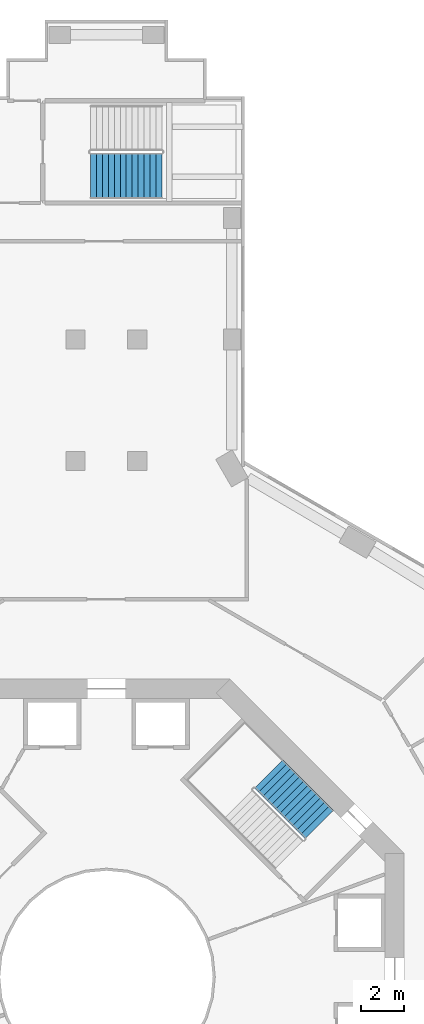
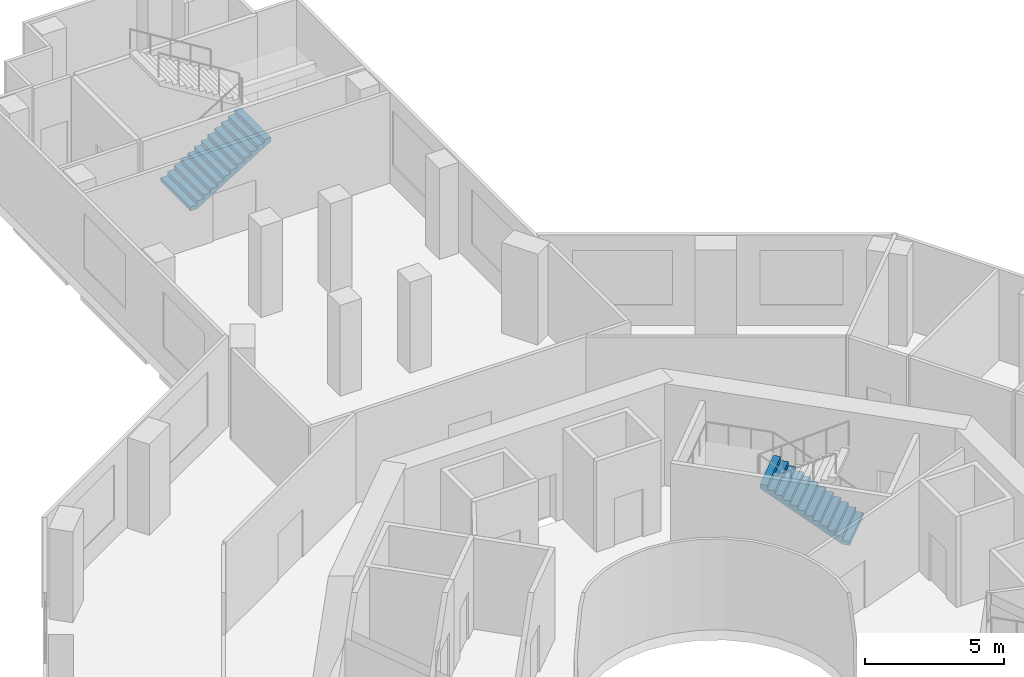
# One storey, part 13 of 20: 2 stair flights, 2 elements without a shape of their own.
"""IFC4 building model written with IfcOpenShell, lengths in metres."""

from ifc_helpers import new_model, si_unit, direction, frame, origin, place, context, subcontext, project, spatial, triangles, material, type_object, element, aggregate, save


model = new_model("IFC4")

# Units and contexts
model_context = context("Model", 3, precision=1e-05, world=origin(), true_north=direction((0.0, 1.0)))
body_context = subcontext(model_context, "Body", "Model", "MODEL_VIEW")
ifc_project = project(units=[si_unit("LENGTHUNIT", "METRE"), si_unit("AREAUNIT", "SQUARE_METRE"), si_unit("VOLUMEUNIT", "CUBIC_METRE"), si_unit("PLANEANGLEUNIT", "RADIAN"), si_unit("MASSUNIT", "GRAM", prefix="KILO")], contexts=[model_context])

# Site, building, storey
site_placement = place(None, origin())
site = spatial("IfcSite", under=ifc_project, at=site_placement, CompositionType="ELEMENT")
building_placement = place(site_placement, origin())
building = spatial("IfcBuilding", under=site, at=building_placement, Name="Verdalira Terraces Hotel", CompositionType="ELEMENT")
storey_placement = place(building_placement, frame((0.0, 0.0, 23.5)))
storey = spatial("IfcBuildingStorey", under=building, at=storey_placement, Name="L04", CompositionType="ELEMENT", Elevation=23.5)

# Stair, stair flight
ifc_material_1 = material(Name="Concrete C40", Category="concrete")
stair_type_1 = type_object("IfcStairType", Name="Core stair 26 risers 1900 mm wide", PredefinedType="HALF_TURN_STAIR", material=ifc_material_1)
stair_1_placement = place(storey_placement, origin())
stair_1 = element("IfcStair", 1, at=stair_1_placement, inside=storey, type_object=stair_type_1, Name="L04 Exit stair ST1", PredefinedType="HALF_TURN_STAIR")
ifc_material_2 = material(Name="Concrete C40", Category="concrete")
stair_flight_type_1 = type_object("IfcStairFlightType", Name="Core stair flight 26 risers 1900 mm wide", PredefinedType="STRAIGHT", material=ifc_material_2)
stair_flight_1_placement = place(storey_placement, frame((10.005615, 7.177246, 0.0), z_axis=(0.0, 0.0, 1.0), x_axis=(-0.707106781, 0.707106781, 0.0)))
stair_flight_1 = element("IfcStairFlight", 2, at=stair_flight_1_placement, type_object=stair_flight_type_1, Name="ST1 flight 1", NumberOfRisers=13, NumberOfTreads=12, PredefinedType="STRAIGHT", RiserHeight=0.173076923, TreadLength=0.28, context=body_context, shape_type="Tessellation", body=[
    triangles([(0.0, 0.949951, 0.0), (0.285156, 0.949951, 0.0), (3.360107, 0.949951, 1.900635), (0.0, -0.949951, 0.0), (0.285156, -0.949951, 0.0), (3.360107, -0.949951, 1.900635), (3.360107, 0.949951, 2.076904), (3.080078, 0.949951, 2.076904), (3.360107, -0.949951, 2.076904), (3.080078, -0.949951, 2.076904), (3.080078, 0.949951, 1.903809), (3.080078, -0.949951, 1.903809), (2.800049, 0.949951, 1.903809), (2.800049, -0.949951, 1.903809), (2.800049, 0.949951, 1.730713), (2.800049, -0.949951, 1.730713), (2.52002, 0.949951, 1.730713), (2.52002, 0.949951, 1.557617), (2.52002, -0.949951, 1.730713), (2.52002, -0.949951, 1.557617), (2.23999, 0.949951, 1.557617), (2.23999, 0.949951, 1.384521), (2.23999, -0.949951, 1.557617), (2.23999, -0.949951, 1.384521), (1.959961, 0.949951, 1.384521), (1.959961, 0.949951, 1.211426), (1.959961, -0.949951, 1.384521), (1.959961, -0.949951, 1.211426), (1.679932, 0.949951, 1.211426), (1.679932, 0.949951, 1.038574), (1.679932, -0.949951, 1.211426), (1.679932, -0.949951, 1.038574), (1.399902, 0.949951, 1.038574), (1.399902, 0.949951, 0.865479), (1.399902, -0.949951, 1.038574), (1.399902, -0.949951, 0.865479), (1.120117, 0.949951, 0.865479), (1.120117, 0.949951, 0.692383), (1.120117, -0.949951, 0.865479), (1.120117, -0.949951, 0.692383), (0.840088, 0.949951, 0.692383), (0.840088, 0.949951, 0.519287), (0.840088, -0.949951, 0.692383), (0.840088, -0.949951, 0.519287), (0.560059, 0.949951, 0.519287), (0.560059, 0.949951, 0.346191), (0.560059, -0.949951, 0.519287), (0.560059, -0.949951, 0.346191), (0.280029, 0.949951, 0.346191), (0.280029, 0.949951, 0.173096), (0.280029, -0.949951, 0.346191), (0.280029, -0.949951, 0.173096), (0.0, 0.949951, 0.173096), (0.0, -0.949951, 0.173096), (0.0, -0.890579, 0.0), (0.0, -0.890579, 0.173096), (0.0, -0.831207, 0.0), (0.0, -0.831207, 0.173096), (0.0, -0.771835, 0.0), (0.0, -0.771835, 0.173096), (0.0, -0.712463, 0.0), (0.0, -0.712463, 0.173096), (0.0, -0.653091, 0.0), (0.0, -0.653091, 0.173096), (0.0, -0.593719, 0.0), (0.0, -0.593719, 0.173096), (0.0, -0.534348, 0.0), (0.0, -0.534348, 0.173096), (0.0, -0.474976, 0.0), (0.0, -0.474976, 0.173096), (0.0, -0.415604, 0.0), (0.0, -0.415604, 0.173096), (0.0, -0.356232, 0.0), (0.0, -0.356232, 0.173096), (0.0, -0.29686, 0.0), (0.0, -0.29686, 0.173096), (0.0, -0.237488, 0.0), (0.0, -0.237488, 0.173096), (0.0, -0.178116, 0.0), (0.0, -0.178116, 0.173096), (0.0, -0.118744, 0.0), (0.0, -0.118744, 0.173096), (0.0, -0.059372, 0.0), (0.0, -0.059372, 0.173096), (0.0, 0.0, 0.0), (0.0, 0.0, 0.173096), (0.0, 0.059372, 0.0), (0.0, 0.059372, 0.173096), (0.0, 0.118744, 0.0), (0.0, 0.118744, 0.173096), (0.0, 0.178116, 0.0), (0.0, 0.178116, 0.173096), (0.0, 0.237488, 0.0), (0.0, 0.237488, 0.173096), (0.0, 0.29686, 0.0), (0.0, 0.29686, 0.173096), (0.0, 0.356232, 0.0), (0.0, 0.356232, 0.173096), (0.0, 0.415604, 0.0), (0.0, 0.415604, 0.173096), (0.0, 0.474976, 0.0), (0.0, 0.474976, 0.173096), (0.0, 0.534348, 0.0), (0.0, 0.534348, 0.173096), (0.0, 0.593719, 0.0), (0.0, 0.593719, 0.173096), (0.0, 0.653091, 0.0), (0.0, 0.653091, 0.173096), (0.0, 0.712463, 0.0), (0.0, 0.712463, 0.173096), (0.0, 0.771835, 0.0), (0.0, 0.771835, 0.173096), (0.0, 0.831207, 0.0), (0.0, 0.831207, 0.173096), (0.0, 0.890579, 0.0), (0.0, 0.890579, 0.173096), (3.360107, -0.890579, 2.076904), (3.360107, -0.831207, 2.076904), (3.360107, -0.771835, 2.076904), (3.360107, -0.712463, 2.076904), (3.360107, -0.653091, 2.076904), (3.360107, -0.593719, 2.076904), (3.360107, -0.534348, 2.076904), (3.360107, -0.474976, 2.076904), (3.360107, -0.415604, 2.076904), (3.360107, -0.356232, 2.076904), (3.360107, -0.29686, 2.076904), (3.360107, -0.237488, 2.076904), (3.360107, -0.178116, 2.076904), (3.360107, -0.118744, 2.076904), (3.360107, -0.059372, 2.076904), (3.360107, 0.0, 2.076904), (3.360107, 0.059372, 2.076904), (3.360107, 0.118744, 2.076904), (3.360107, 0.178116, 2.076904), (3.360107, 0.237488, 2.076904), (3.360107, 0.29686, 2.076904), (3.360107, 0.356232, 2.076904), (3.360107, 0.415604, 2.076904), (3.360107, 0.474976, 2.076904), (3.360107, 0.534348, 2.076904), (3.360107, 0.593719, 2.076904), (3.360107, 0.653091, 2.076904), (3.360107, 0.712463, 2.076904), (3.360107, 0.771835, 2.076904), (3.360107, 0.831207, 2.076904), (3.360107, 0.890579, 2.076904), (3.360107, -0.890579, 1.900635), (3.360107, -0.831207, 1.900635), (3.360107, -0.771835, 1.900635), (3.360107, -0.712463, 1.900635), (3.360107, -0.653091, 1.900635), (3.360107, -0.593719, 1.900635), (3.360107, -0.534348, 1.900635), (3.360107, -0.474976, 1.900635), (3.360107, -0.415604, 1.900635), (3.360107, -0.356232, 1.900635), (3.360107, -0.29686, 1.900635), (3.360107, -0.237488, 1.900635), (3.360107, -0.178116, 1.900635), (3.360107, -0.118744, 1.900635), (3.360107, -0.059372, 1.900635), (3.360107, 0.0, 1.900635), (3.360107, 0.059372, 1.900635), (3.360107, 0.118744, 1.900635), (3.360107, 0.178116, 1.900635), (3.360107, 0.237488, 1.900635), (3.360107, 0.29686, 1.900635), (3.360107, 0.356232, 1.900635), (3.360107, 0.415604, 1.900635), (3.360107, 0.474976, 1.900635), (3.360107, 0.534348, 1.900635), (3.360107, 0.593719, 1.900635), (3.360107, 0.653091, 1.900635), (3.360107, 0.712463, 1.900635), (3.360107, 0.771835, 1.900635), (3.360107, 0.831207, 1.900635), (3.360107, 0.890579, 1.900635)], [[1, 3, 2], [4, 5, 6], [3, 8, 7], [6, 9, 10], [3, 11, 8], [6, 10, 12], [3, 13, 11], [6, 12, 14], [3, 15, 13], [6, 14, 16], [15, 18, 17], [16, 19, 20], [3, 18, 15], [6, 16, 20], [18, 22, 21], [20, 23, 24], [3, 22, 18], [6, 20, 24], [22, 26, 25], [24, 27, 28], [3, 26, 22], [6, 24, 28], [1, 26, 3], [4, 6, 28], [26, 30, 29], [28, 31, 32], [30, 34, 33], [32, 35, 36], [26, 34, 30], [28, 32, 36], [34, 38, 37], [36, 39, 40], [26, 38, 34], [28, 36, 40], [38, 42, 41], [40, 43, 44], [26, 42, 38], [28, 40, 44], [42, 46, 45], [44, 47, 48], [26, 46, 42], [28, 44, 48], [46, 50, 49], [48, 51, 52], [26, 50, 46], [28, 48, 52], [1, 50, 26], [4, 28, 52], [50, 1, 53], [52, 54, 4], [4, 56, 55], [4, 54, 56], [55, 58, 57], [55, 56, 58], [57, 60, 59], [57, 58, 60], [59, 62, 61], [59, 60, 62], [61, 64, 63], [61, 62, 64], [63, 66, 65], [63, 64, 66], [65, 68, 67], [65, 66, 68], [67, 70, 69], [67, 68, 70], [69, 72, 71], [69, 70, 72], [71, 74, 73], [71, 72, 74], [73, 76, 75], [73, 74, 76], [75, 78, 77], [75, 76, 78], [77, 80, 79], [77, 78, 80], [79, 82, 81], [79, 80, 82], [81, 84, 83], [81, 82, 84], [83, 86, 85], [83, 84, 86], [85, 88, 87], [85, 86, 88], [87, 90, 89], [87, 88, 90], [89, 92, 91], [89, 90, 92], [91, 94, 93], [91, 92, 94], [93, 96, 95], [93, 94, 96], [95, 98, 97], [95, 96, 98], [97, 100, 99], [97, 98, 100], [99, 102, 101], [99, 100, 102], [101, 104, 103], [101, 102, 104], [103, 106, 105], [103, 104, 106], [105, 108, 107], [105, 106, 108], [107, 110, 109], [107, 108, 110], [109, 112, 111], [109, 110, 112], [111, 114, 113], [111, 112, 114], [113, 116, 115], [113, 114, 116], [115, 53, 1], [115, 116, 53], [54, 52, 56], [56, 52, 58], [58, 52, 60], [60, 52, 62], [62, 52, 64], [64, 52, 66], [66, 52, 68], [68, 52, 70], [70, 52, 72], [72, 52, 74], [74, 52, 76], [76, 52, 78], [78, 52, 80], [80, 52, 82], [82, 52, 84], [84, 52, 86], [86, 52, 88], [88, 52, 90], [90, 52, 92], [92, 52, 94], [94, 52, 96], [96, 52, 98], [98, 52, 100], [100, 52, 102], [102, 52, 104], [104, 52, 106], [106, 52, 108], [108, 52, 110], [110, 52, 112], [112, 52, 114], [114, 52, 116], [116, 52, 53], [53, 52, 50], [52, 49, 50], [52, 51, 49], [51, 46, 49], [51, 48, 46], [48, 45, 46], [48, 47, 45], [47, 42, 45], [47, 44, 42], [44, 41, 42], [44, 43, 41], [43, 38, 41], [43, 40, 38], [40, 37, 38], [40, 39, 37], [39, 34, 37], [39, 36, 34], [36, 33, 34], [36, 35, 33], [35, 30, 33], [35, 32, 30], [32, 29, 30], [32, 31, 29], [31, 26, 29], [31, 28, 26], [28, 25, 26], [28, 27, 25], [27, 22, 25], [27, 24, 22], [24, 21, 22], [24, 23, 21], [23, 18, 21], [23, 20, 18], [20, 17, 18], [20, 19, 17], [19, 15, 17], [19, 16, 15], [16, 13, 15], [16, 14, 13], [14, 11, 13], [14, 12, 11], [12, 8, 11], [12, 10, 8], [9, 117, 10], [117, 118, 10], [118, 119, 10], [119, 120, 10], [120, 121, 10], [121, 122, 10], [122, 123, 10], [123, 124, 10], [124, 125, 10], [125, 126, 10], [126, 127, 10], [127, 128, 10], [128, 129, 10], [129, 130, 10], [130, 131, 10], [131, 132, 10], [132, 133, 10], [133, 134, 10], [134, 135, 10], [135, 136, 10], [136, 137, 10], [137, 138, 10], [138, 139, 10], [139, 140, 10], [140, 141, 10], [141, 142, 10], [142, 143, 10], [143, 144, 10], [144, 145, 10], [145, 146, 10], [146, 147, 10], [147, 7, 10], [7, 8, 10], [9, 148, 117], [9, 6, 148], [117, 149, 118], [117, 148, 149], [118, 150, 119], [118, 149, 150], [119, 151, 120], [119, 150, 151], [120, 152, 121], [120, 151, 152], [121, 153, 122], [121, 152, 153], [122, 154, 123], [122, 153, 154], [123, 155, 124], [123, 154, 155], [124, 156, 125], [124, 155, 156], [125, 157, 126], [125, 156, 157], [126, 158, 127], [126, 157, 158], [127, 159, 128], [127, 158, 159], [128, 160, 129], [128, 159, 160], [129, 161, 130], [129, 160, 161], [130, 162, 131], [130, 161, 162], [131, 163, 132], [131, 162, 163], [132, 164, 133], [132, 163, 164], [133, 165, 134], [133, 164, 165], [134, 166, 135], [134, 165, 166], [135, 167, 136], [135, 166, 167], [136, 168, 137], [136, 167, 168], [137, 169, 138], [137, 168, 169], [138, 170, 139], [138, 169, 170], [139, 171, 140], [139, 170, 171], [140, 172, 141], [140, 171, 172], [141, 173, 142], [141, 172, 173], [142, 174, 143], [142, 173, 174], [143, 175, 144], [143, 174, 175], [144, 176, 145], [144, 175, 176], [145, 177, 146], [145, 176, 177], [146, 178, 147], [146, 177, 178], [147, 3, 7], [147, 178, 3], [6, 5, 148], [148, 5, 149], [149, 5, 150], [150, 5, 151], [151, 5, 152], [152, 5, 153], [153, 5, 154], [154, 5, 155], [155, 5, 156], [156, 5, 157], [157, 5, 158], [158, 5, 159], [159, 5, 160], [160, 5, 161], [161, 5, 162], [162, 5, 163], [163, 5, 164], [164, 5, 165], [165, 5, 166], [166, 5, 167], [167, 5, 168], [168, 5, 169], [169, 5, 170], [170, 5, 171], [171, 5, 172], [172, 5, 173], [173, 5, 174], [174, 5, 175], [175, 5, 176], [176, 5, 177], [177, 5, 178], [178, 5, 3], [3, 5, 2], [4, 55, 5], [55, 57, 5], [57, 59, 5], [59, 61, 5], [61, 63, 5], [63, 65, 5], [65, 67, 5], [67, 69, 5], [69, 71, 5], [71, 73, 5], [73, 75, 5], [75, 77, 5], [77, 79, 5], [79, 81, 5], [81, 83, 5], [83, 85, 5], [85, 87, 5], [87, 89, 5], [89, 91, 5], [91, 93, 5], [93, 95, 5], [95, 97, 5], [97, 99, 5], [99, 101, 5], [101, 103, 5], [103, 105, 5], [105, 107, 5], [107, 109, 5], [109, 111, 5], [111, 113, 5], [113, 115, 5], [115, 1, 5], [1, 2, 5]], closed=True),
])
aggregate(stair_1, [stair_flight_1])

ifc_material_3 = material(Name="Concrete C40", Category="concrete")
stair_type_2 = type_object("IfcStairType", Name="Podium stair 26 risers", PredefinedType="HALF_TURN_STAIR", material=ifc_material_3)
stair_2_placement = place(storey_placement, origin())
stair_2 = element("IfcStair", 3, at=stair_2_placement, inside=storey, type_object=stair_type_2, Name="L04 Exit stair PS1", PredefinedType="HALF_TURN_STAIR")
ifc_material_4 = material(Name="Concrete C40", Category="concrete")
stair_flight_type_2 = type_object("IfcStairFlightType", Name="Podium stair flight 26 risers", PredefinedType="STRAIGHT", material=ifc_material_4)
stair_flight_2_placement = place(storey_placement, frame((-0.75, 37.675049, 0.0), z_axis=(0.0, 0.0, 1.0), x_axis=(1.0, 0.0, 0.0)))
stair_flight_2 = element("IfcStairFlight", 4, at=stair_flight_2_placement, type_object=stair_flight_type_2, Name="PS1 flight 1", NumberOfRisers=13, NumberOfTreads=12, PredefinedType="STRAIGHT", RiserHeight=0.173076923, TreadLength=0.28, context=body_context, shape_type="Tessellation", body=[
    triangles([(0.0, 1.074951, 0.0), (0.285156, 1.074951, 0.0), (3.360107, 1.074951, 1.900635), (0.0, -1.074951, 0.0), (0.285156, -1.074951, 0.0), (3.360107, -1.074951, 1.900635), (3.360107, 1.074951, 2.076904), (3.080078, 1.074951, 2.076904), (3.360107, -1.074951, 2.076904), (3.080078, -1.074951, 2.076904), (3.080078, 1.074951, 1.903809), (3.080078, -1.074951, 1.903809), (2.800049, 1.074951, 1.903809), (2.800049, -1.074951, 1.903809), (2.800049, 1.074951, 1.730713), (2.800049, -1.074951, 1.730713), (2.52002, 1.074951, 1.730713), (2.52002, 1.074951, 1.557617), (2.52002, -1.074951, 1.730713), (2.52002, -1.074951, 1.557617), (2.23999, 1.074951, 1.557617), (2.23999, 1.074951, 1.384521), (2.23999, -1.074951, 1.557617), (2.23999, -1.074951, 1.384521), (1.959961, 1.074951, 1.384521), (1.959961, 1.074951, 1.211426), (1.959961, -1.074951, 1.384521), (1.959961, -1.074951, 1.211426), (1.679932, 1.074951, 1.211426), (1.679932, 1.074951, 1.038574), (1.679932, -1.074951, 1.211426), (1.679932, -1.074951, 1.038574), (1.399902, 1.074951, 1.038574), (1.399902, 1.074951, 0.865479), (1.399902, -1.074951, 1.038574), (1.399902, -1.074951, 0.865479), (1.120117, 1.074951, 0.865479), (1.120117, 1.074951, 0.692383), (1.120117, -1.074951, 0.865479), (1.120117, -1.074951, 0.692383), (0.840088, 1.074951, 0.692383), (0.840088, 1.074951, 0.519287), (0.840088, -1.074951, 0.692383), (0.840088, -1.074951, 0.519287), (0.560059, 1.074951, 0.519287), (0.560059, 1.074951, 0.346191), (0.560059, -1.074951, 0.519287), (0.560059, -1.074951, 0.346191), (0.280029, 1.074951, 0.346191), (0.280029, 1.074951, 0.173096), (0.280029, -1.074951, 0.346191), (0.280029, -1.074951, 0.173096), (0.0, 1.074951, 0.173096), (0.0, -1.074951, 0.173096), (0.0, -1.007767, 0.0), (0.0, -1.007767, 0.173096), (0.0, -0.940582, 0.0), (0.0, -0.940582, 0.173096), (0.0, -0.873398, 0.0), (0.0, -0.873398, 0.173096), (0.0, -0.806213, 0.0), (0.0, -0.806213, 0.173096), (0.0, -0.739029, 0.0), (0.0, -0.739029, 0.173096), (0.0, -0.671844, 0.0), (0.0, -0.671844, 0.173096), (0.0, -0.60466, 0.0), (0.0, -0.60466, 0.173096), (0.0, -0.537476, 0.0), (0.0, -0.537476, 0.173096), (0.0, -0.470291, 0.0), (0.0, -0.470291, 0.173096), (0.0, -0.403107, 0.0), (0.0, -0.403107, 0.173096), (0.0, -0.335922, 0.0), (0.0, -0.335922, 0.173096), (0.0, -0.268738, 0.0), (0.0, -0.268738, 0.173096), (0.0, -0.201553, 0.0), (0.0, -0.201553, 0.173096), (0.0, -0.134369, 0.0), (0.0, -0.134369, 0.173096), (0.0, -0.067184, 0.0), (0.0, -0.067184, 0.173096), (0.0, 0.0, 0.0), (0.0, 0.0, 0.173096), (0.0, 0.067184, 0.0), (0.0, 0.067184, 0.173096), (0.0, 0.134369, 0.0), (0.0, 0.134369, 0.173096), (0.0, 0.201553, 0.0), (0.0, 0.201553, 0.173096), (0.0, 0.268738, 0.0), (0.0, 0.268738, 0.173096), (0.0, 0.335922, 0.0), (0.0, 0.335922, 0.173096), (0.0, 0.403107, 0.0), (0.0, 0.403107, 0.173096), (0.0, 0.470291, 0.0), (0.0, 0.470291, 0.173096), (0.0, 0.537476, 0.0), (0.0, 0.537476, 0.173096), (0.0, 0.60466, 0.0), (0.0, 0.60466, 0.173096), (0.0, 0.671844, 0.0), (0.0, 0.671844, 0.173096), (0.0, 0.739029, 0.0), (0.0, 0.739029, 0.173096), (0.0, 0.806213, 0.0), (0.0, 0.806213, 0.173096), (0.0, 0.873398, 0.0), (0.0, 0.873398, 0.173096), (0.0, 0.940582, 0.0), (0.0, 0.940582, 0.173096), (0.0, 1.007767, 0.0), (0.0, 1.007767, 0.173096), (3.360107, -1.007767, 2.076904), (3.360107, -0.940582, 2.076904), (3.360107, -0.873398, 2.076904), (3.360107, -0.806213, 2.076904), (3.360107, -0.739029, 2.076904), (3.360107, -0.671844, 2.076904), (3.360107, -0.60466, 2.076904), (3.360107, -0.537476, 2.076904), (3.360107, -0.470291, 2.076904), (3.360107, -0.403107, 2.076904), (3.360107, -0.335922, 2.076904), (3.360107, -0.268738, 2.076904), (3.360107, -0.201553, 2.076904), (3.360107, -0.134369, 2.076904), (3.360107, -0.067184, 2.076904), (3.360107, 0.0, 2.076904), (3.360107, 0.067184, 2.076904), (3.360107, 0.134369, 2.076904), (3.360107, 0.201553, 2.076904), (3.360107, 0.268738, 2.076904), (3.360107, 0.335922, 2.076904), (3.360107, 0.403107, 2.076904), (3.360107, 0.470291, 2.076904), (3.360107, 0.537476, 2.076904), (3.360107, 0.60466, 2.076904), (3.360107, 0.671844, 2.076904), (3.360107, 0.739029, 2.076904), (3.360107, 0.806213, 2.076904), (3.360107, 0.873398, 2.076904), (3.360107, 0.940582, 2.076904), (3.360107, 1.007767, 2.076904), (3.360107, -1.007767, 1.900635), (3.360107, -0.940582, 1.900635), (3.360107, -0.873398, 1.900635), (3.360107, -0.806213, 1.900635), (3.360107, -0.739029, 1.900635), (3.360107, -0.671844, 1.900635), (3.360107, -0.60466, 1.900635), (3.360107, -0.537476, 1.900635), (3.360107, -0.470291, 1.900635), (3.360107, -0.403107, 1.900635), (3.360107, -0.335922, 1.900635), (3.360107, -0.268738, 1.900635), (3.360107, -0.201553, 1.900635), (3.360107, -0.134369, 1.900635), (3.360107, -0.067184, 1.900635), (3.360107, 0.0, 1.900635), (3.360107, 0.067184, 1.900635), (3.360107, 0.134369, 1.900635), (3.360107, 0.201553, 1.900635), (3.360107, 0.268738, 1.900635), (3.360107, 0.335922, 1.900635), (3.360107, 0.403107, 1.900635), (3.360107, 0.470291, 1.900635), (3.360107, 0.537476, 1.900635), (3.360107, 0.60466, 1.900635), (3.360107, 0.671844, 1.900635), (3.360107, 0.739029, 1.900635), (3.360107, 0.806213, 1.900635), (3.360107, 0.873398, 1.900635), (3.360107, 0.940582, 1.900635), (3.360107, 1.007767, 1.900635)], [[1, 3, 2], [4, 5, 6], [3, 8, 7], [6, 9, 10], [3, 11, 8], [6, 10, 12], [3, 13, 11], [6, 12, 14], [3, 15, 13], [6, 14, 16], [15, 18, 17], [16, 19, 20], [3, 18, 15], [6, 16, 20], [18, 22, 21], [20, 23, 24], [3, 22, 18], [6, 20, 24], [22, 26, 25], [24, 27, 28], [3, 26, 22], [6, 24, 28], [1, 26, 3], [4, 6, 28], [26, 30, 29], [28, 31, 32], [30, 34, 33], [32, 35, 36], [26, 34, 30], [28, 32, 36], [34, 38, 37], [36, 39, 40], [26, 38, 34], [28, 36, 40], [38, 42, 41], [40, 43, 44], [26, 42, 38], [28, 40, 44], [42, 46, 45], [44, 47, 48], [26, 46, 42], [28, 44, 48], [46, 50, 49], [48, 51, 52], [26, 50, 46], [28, 48, 52], [1, 50, 26], [4, 28, 52], [50, 1, 53], [52, 54, 4], [4, 56, 55], [4, 54, 56], [55, 58, 57], [55, 56, 58], [57, 60, 59], [57, 58, 60], [59, 62, 61], [59, 60, 62], [61, 64, 63], [61, 62, 64], [63, 66, 65], [63, 64, 66], [65, 68, 67], [65, 66, 68], [67, 70, 69], [67, 68, 70], [69, 72, 71], [69, 70, 72], [71, 74, 73], [71, 72, 74], [73, 76, 75], [73, 74, 76], [75, 78, 77], [75, 76, 78], [77, 80, 79], [77, 78, 80], [79, 82, 81], [79, 80, 82], [81, 84, 83], [81, 82, 84], [83, 86, 85], [83, 84, 86], [85, 88, 87], [85, 86, 88], [87, 90, 89], [87, 88, 90], [89, 92, 91], [89, 90, 92], [91, 94, 93], [91, 92, 94], [93, 96, 95], [93, 94, 96], [95, 98, 97], [95, 96, 98], [97, 100, 99], [97, 98, 100], [99, 102, 101], [99, 100, 102], [101, 104, 103], [101, 102, 104], [103, 106, 105], [103, 104, 106], [105, 108, 107], [105, 106, 108], [107, 110, 109], [107, 108, 110], [109, 112, 111], [109, 110, 112], [111, 114, 113], [111, 112, 114], [113, 116, 115], [113, 114, 116], [115, 53, 1], [115, 116, 53], [54, 52, 56], [56, 52, 58], [58, 52, 60], [60, 52, 62], [62, 52, 64], [64, 52, 66], [66, 52, 68], [68, 52, 70], [70, 52, 72], [72, 52, 74], [74, 52, 76], [76, 52, 78], [78, 52, 80], [80, 52, 82], [82, 52, 84], [84, 52, 86], [86, 52, 88], [88, 52, 90], [90, 52, 92], [92, 52, 94], [94, 52, 96], [96, 52, 98], [98, 52, 100], [100, 52, 102], [102, 52, 104], [104, 52, 106], [106, 52, 108], [108, 52, 110], [110, 52, 112], [112, 52, 114], [114, 52, 116], [116, 52, 53], [53, 52, 50], [52, 49, 50], [52, 51, 49], [51, 46, 49], [51, 48, 46], [48, 45, 46], [48, 47, 45], [47, 42, 45], [47, 44, 42], [44, 41, 42], [44, 43, 41], [43, 38, 41], [43, 40, 38], [40, 37, 38], [40, 39, 37], [39, 34, 37], [39, 36, 34], [36, 33, 34], [36, 35, 33], [35, 30, 33], [35, 32, 30], [32, 29, 30], [32, 31, 29], [31, 26, 29], [31, 28, 26], [28, 25, 26], [28, 27, 25], [27, 22, 25], [27, 24, 22], [24, 21, 22], [24, 23, 21], [23, 18, 21], [23, 20, 18], [20, 17, 18], [20, 19, 17], [19, 15, 17], [19, 16, 15], [16, 13, 15], [16, 14, 13], [14, 11, 13], [14, 12, 11], [12, 8, 11], [12, 10, 8], [9, 117, 10], [117, 118, 10], [118, 119, 10], [119, 120, 10], [120, 121, 10], [121, 122, 10], [122, 123, 10], [123, 124, 10], [124, 125, 10], [125, 126, 10], [126, 127, 10], [127, 128, 10], [128, 129, 10], [129, 130, 10], [130, 131, 10], [131, 132, 10], [132, 133, 10], [133, 134, 10], [134, 135, 10], [135, 136, 10], [136, 137, 10], [137, 138, 10], [138, 139, 10], [139, 140, 10], [140, 141, 10], [141, 142, 10], [142, 143, 10], [143, 144, 10], [144, 145, 10], [145, 146, 10], [146, 147, 10], [147, 7, 10], [7, 8, 10], [9, 148, 117], [9, 6, 148], [117, 149, 118], [117, 148, 149], [118, 150, 119], [118, 149, 150], [119, 151, 120], [119, 150, 151], [120, 152, 121], [120, 151, 152], [121, 153, 122], [121, 152, 153], [122, 154, 123], [122, 153, 154], [123, 155, 124], [123, 154, 155], [124, 156, 125], [124, 155, 156], [125, 157, 126], [125, 156, 157], [126, 158, 127], [126, 157, 158], [127, 159, 128], [127, 158, 159], [128, 160, 129], [128, 159, 160], [129, 161, 130], [129, 160, 161], [130, 162, 131], [130, 161, 162], [131, 163, 132], [131, 162, 163], [132, 164, 133], [132, 163, 164], [133, 165, 134], [133, 164, 165], [134, 166, 135], [134, 165, 166], [135, 167, 136], [135, 166, 167], [136, 168, 137], [136, 167, 168], [137, 169, 138], [137, 168, 169], [138, 170, 139], [138, 169, 170], [139, 171, 140], [139, 170, 171], [140, 172, 141], [140, 171, 172], [141, 173, 142], [141, 172, 173], [142, 174, 143], [142, 173, 174], [143, 175, 144], [143, 174, 175], [144, 176, 145], [144, 175, 176], [145, 177, 146], [145, 176, 177], [146, 178, 147], [146, 177, 178], [147, 3, 7], [147, 178, 3], [6, 5, 148], [148, 5, 149], [149, 5, 150], [150, 5, 151], [151, 5, 152], [152, 5, 153], [153, 5, 154], [154, 5, 155], [155, 5, 156], [156, 5, 157], [157, 5, 158], [158, 5, 159], [159, 5, 160], [160, 5, 161], [161, 5, 162], [162, 5, 163], [163, 5, 164], [164, 5, 165], [165, 5, 166], [166, 5, 167], [167, 5, 168], [168, 5, 169], [169, 5, 170], [170, 5, 171], [171, 5, 172], [172, 5, 173], [173, 5, 174], [174, 5, 175], [175, 5, 176], [176, 5, 177], [177, 5, 178], [178, 5, 3], [3, 5, 2], [4, 55, 5], [55, 57, 5], [57, 59, 5], [59, 61, 5], [61, 63, 5], [63, 65, 5], [65, 67, 5], [67, 69, 5], [69, 71, 5], [71, 73, 5], [73, 75, 5], [75, 77, 5], [77, 79, 5], [79, 81, 5], [81, 83, 5], [83, 85, 5], [85, 87, 5], [87, 89, 5], [89, 91, 5], [91, 93, 5], [93, 95, 5], [95, 97, 5], [97, 99, 5], [99, 101, 5], [101, 103, 5], [103, 105, 5], [105, 107, 5], [107, 109, 5], [109, 111, 5], [111, 113, 5], [113, 115, 5], [115, 1, 5], [1, 2, 5]], closed=True),
])
aggregate(stair_2, [stair_flight_2])

save(model, "model.ifc")
